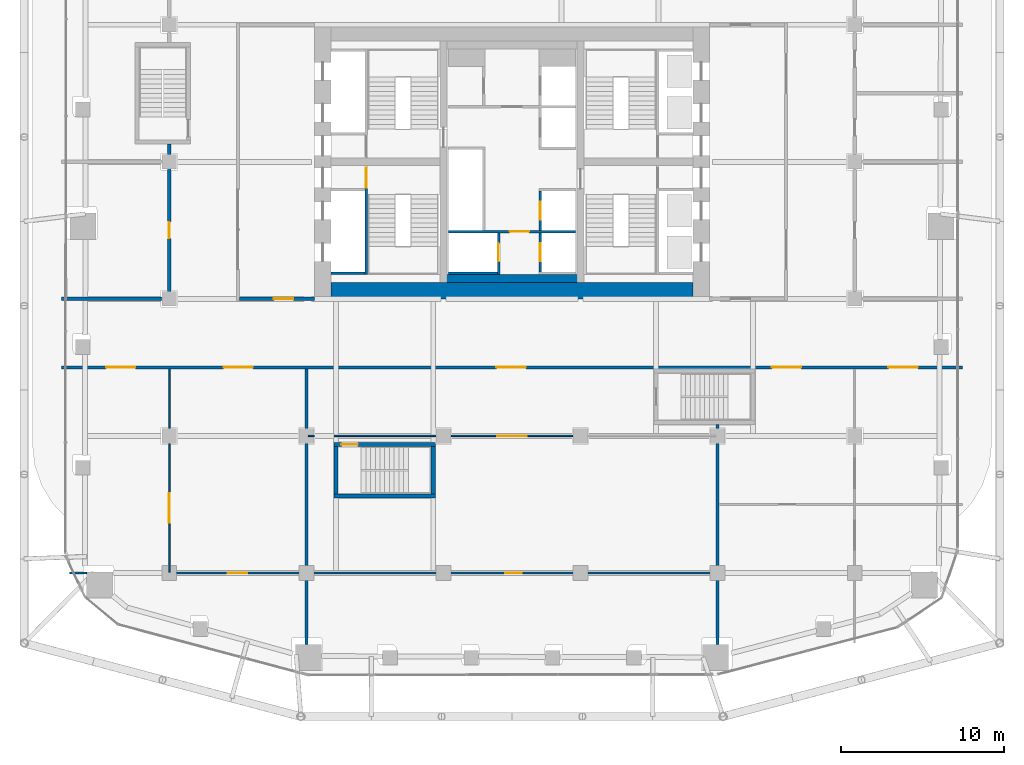
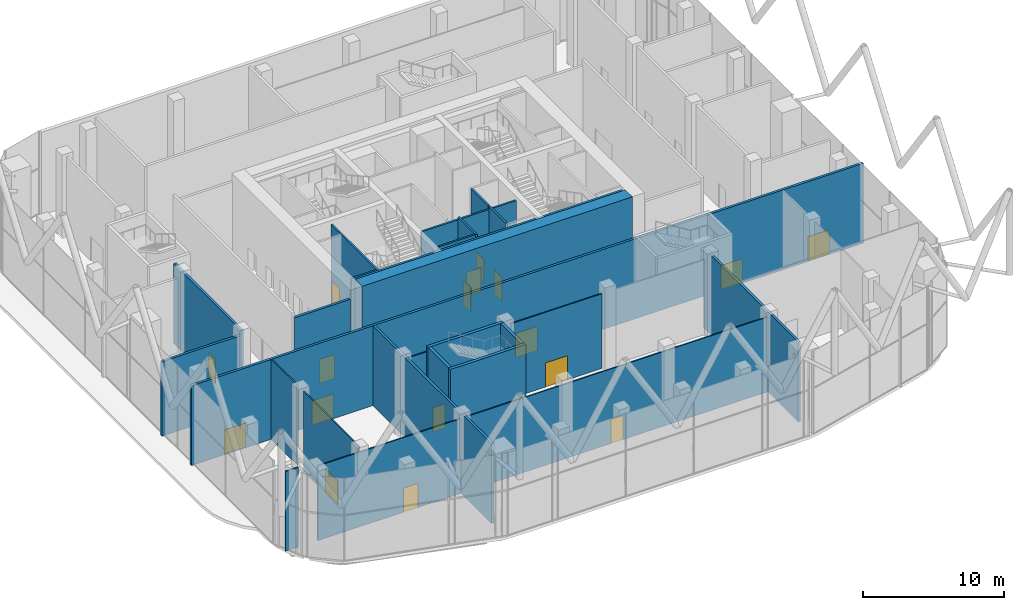
# One storey, part 25 of 34: 25 walls, 17 doors, 17 openings.
"""IFC4 building model written with IfcOpenShell, lengths in metres."""

from ifc_helpers import new_model, si_unit, direction, frame, frame_2d, origin, place, context, subcontext, project, spatial, rectangle, extrude, material, layer, layer_set, type_object, element, fill, save


model = new_model("IFC4")

# Units and contexts
model_context = context("Model", 3, precision=1e-05, world=origin(), true_north=direction((0.0, 1.0)))
body_context = subcontext(model_context, "Body", "Model", "MODEL_VIEW")
ifc_project = project(units=[si_unit("LENGTHUNIT", "METRE"), si_unit("AREAUNIT", "SQUARE_METRE"), si_unit("VOLUMEUNIT", "CUBIC_METRE"), si_unit("PLANEANGLEUNIT", "RADIAN"), si_unit("MASSUNIT", "GRAM", prefix="KILO")], contexts=[model_context])

# Site, building, storey
site_placement = place(None, origin())
site = spatial("IfcSite", under=ifc_project, at=site_placement, CompositionType="ELEMENT")
building_placement = place(site_placement, origin())
building = spatial("IfcBuilding", under=site, at=building_placement, Name="Marenta Gate Hotel Tower", CompositionType="ELEMENT")
storey_placement = place(building_placement, frame((0.0, 0.0, 97.699951171875)))
storey = spatial("IfcBuildingStorey", under=building, at=storey_placement, Name="L21", CompositionType="ELEMENT", Elevation=97.699951171875)

# Wall, opening, door
ifc_material_1 = material(Name="Concrete blockwork", Category="masonry")
ifc_layer_1 = layer(ifc_material_1, 0.199951171875)
ifc_layer_set_1 = layer_set([ifc_layer_1], Name="Concrete blockwork")
wall_type_1 = type_object("IfcWallType", Name="Core boundary wall 200 REI 180", PredefinedType="PARTITIONING", material=ifc_layer_set_1)
wall_1_placement = place(storey_placement, frame((-16.699951171875, 0.0, 0.0), z_axis=(0.0, 0.0, 1.0), x_axis=(1.0, 0.0, 0.0)))
wall_1 = element("IfcWall", 1, at=wall_1_placement, inside=storey, type_object=wall_type_1, Name="L21-CP-EW-WS", PredefinedType="PARTITIONING", context=body_context, shape_type="SweptSolid", body=[
    extrude(rectangle(XDim=4.599853515625, YDim=0.199951171875, at=frame_2d((2.2998046875, 0.0))), origin(), (0.0, 0.0, 1.0), 6.489990234375),
])
opening_1_placement = place(wall_1_placement, frame((2.10009765625, 0.0, 0.0)))
opening_1 = element("IfcOpeningElement", 2, at=opening_1_placement, cuts=wall_1, Name="Opening RS-Z2-1", PredefinedType="OPENING", context=body_context, shape_type="SweptSolid", body=[
    extrude(rectangle(XDim=1.199951171875, YDim=2.10009765625, at=frame_2d((0.60009765625, 1.050048828125))), frame((0.0, 0.10009765625, 0.0), z_axis=(0.0, -1.0, 0.0), x_axis=(1.0, 0.0, 0.0)), (0.0, 0.0, 1.0), 0.199951171875),
])
ifc_material_2 = material(Name="Steel", Category="steel")
door_type_1 = type_object("IfcDoorType", Name="Core lobby door 1200x2100 EI 60", OperationType="SINGLE_SWING_LEFT", PredefinedType="DOOR", material=ifc_material_2)
door_1_placement = place(opening_1_placement, origin())
door_1 = element("IfcDoor", 3, at=door_1_placement, inside=storey, type_object=door_type_1, Name="RS-Z2-1", OperationType="SINGLE_SWING_LEFT", OverallHeight=2.10009765625, OverallWidth=1.199951171875, PredefinedType="DOOR", context=body_context, shape_type="SweptSolid", body=[
    extrude(rectangle(XDim=1.199951171875, YDim=2.10009765625, at=frame_2d((0.60009765625, 1.050048828125))), frame((0.0, 0.02490234375, 0.0), z_axis=(0.0, -1.0, 0.0), x_axis=(1.0, 0.0, 0.0)), (0.0, 0.0, 1.0), 0.050048828125),
])
fill(opening_1, door_1)

# Wall
ifc_material_3 = material(Name="Concrete C40", Category="concrete")
ifc_layer_2 = layer(ifc_material_3, 0.5)
ifc_layer_set_2 = layer_set([ifc_layer_2], Name="Concrete C40")
wall_type_2 = type_object("IfcWallType", Name="Core lining wall 500 REI 180", PredefinedType="PARTITIONING", material=ifc_layer_set_2)
wall_2_placement = place(storey_placement, frame((-11.10009765625, 1.25, 0.0), z_axis=(0.0, 0.0, 1.0), x_axis=(1.0, 0.0, 0.0)))
element("IfcWall", 4, at=wall_2_placement, inside=storey, type_object=wall_type_2, Name="L21-CP-LN-S", PredefinedType="PARTITIONING", context=body_context, shape_type="SweptSolid", body=[
    extrude(rectangle(XDim=22.2001953125, YDim=0.5, at=frame_2d((11.10009765625, 0.0))), origin(), (0.0, 0.0, 1.0), 6.93994140625),
])

# Wall, opening, door
ifc_material_4 = material(Name="Concrete blockwork", Category="masonry")
ifc_layer_3 = layer(ifc_material_4, 0.14990234375)
ifc_layer_set_3 = layer_set([ifc_layer_3], Name="Concrete blockwork")
wall_type_3 = type_object("IfcWallType", Name="Core lobby partition 150 REI 180", PredefinedType="PARTITIONING", material=ifc_layer_set_3)
wall_3_placement = place(storey_placement, frame((-3.89990234375, 4.125, 0.0), z_axis=(0.0, 0.0, 1.0), x_axis=(1.0, 0.0, 0.0)))
wall_3 = element("IfcWall", 5, at=wall_3_placement, inside=storey, type_object=wall_type_3, Name="L21-CP-CW-S", PredefinedType="PARTITIONING", context=body_context, shape_type="SweptSolid", body=[
    extrude(rectangle(XDim=7.7998046875, YDim=0.14990234375, at=frame_2d((3.89990234375, 0.0))), origin(), (0.0, 0.0, 1.0), 6.93994140625),
])
opening_2_placement = place(wall_3_placement, frame((3.75, 0.0, 0.0)))
opening_2 = element("IfcOpeningElement", 6, at=opening_2_placement, cuts=wall_3, Name="Opening FD-FFS", PredefinedType="OPENING", context=body_context, shape_type="SweptSolid", body=[
    extrude(rectangle(XDim=1.199951171875, YDim=2.10009765625, at=frame_2d((0.60009765625, 1.050048828125))), frame((0.0, 0.074951171875, 0.0), z_axis=(0.0, -1.0, 0.0), x_axis=(1.0, 0.0, 0.0)), (0.0, 0.0, 1.0), 0.14990234375),
])
ifc_material_5 = material(Name="Steel", Category="steel")
door_type_2 = type_object("IfcDoorType", Name="Core lobby door 1200x2100 FD60", OperationType="SINGLE_SWING_LEFT", PredefinedType="DOOR", material=ifc_material_5)
door_2_placement = place(opening_2_placement, origin())
door_2 = element("IfcDoor", 7, at=door_2_placement, inside=storey, type_object=door_type_2, Name="FD-FFS", OperationType="SINGLE_SWING_LEFT", OverallHeight=2.10009765625, OverallWidth=1.199951171875, PredefinedType="DOOR", context=body_context, shape_type="SweptSolid", body=[
    extrude(rectangle(XDim=1.199951171875, YDim=2.10009765625, at=frame_2d((0.60009765625, 1.050048828125))), frame((0.0, 0.02490234375, 0.0), z_axis=(0.0, -1.0, 0.0), x_axis=(1.0, 0.0, 0.0)), (0.0, 0.0, 1.0), 0.050048828125),
])
fill(opening_2, door_2)

# Wall
ifc_material_6 = material(Name="Concrete C40", Category="concrete")
ifc_layer_4 = layer(ifc_material_6, 0.14990234375)
ifc_layer_set_4 = layer_set([ifc_layer_4], Name="Concrete C40")
wall_type_4 = type_object("IfcWallType", Name="Core shaft wall 150 REI 180", PredefinedType="SHEAR", material=ifc_layer_set_4)
wall_4_placement = place(storey_placement, frame((-11.10009765625, 1.574951171875, 0.0), z_axis=(0.0, 0.0, 1.0), x_axis=(1.0, 0.0, 0.0)))
element("IfcWall", 8, at=wall_4_placement, inside=storey, type_object=wall_type_4, Name="L21-SHF-SW-WS-5", PredefinedType="SHEAR", context=body_context, shape_type="SweptSolid", body=[
    extrude(rectangle(XDim=2.10009765625, YDim=0.14990234375, at=frame_2d((1.050048828125, 0.0))), origin(), (0.0, 0.0, 1.0), 6.93994140625),
])

# Wall, opening, door
wall_5_placement = place(storey_placement, frame((-0.824951171875, 1.5, 0.0), z_axis=(0.0, 0.0, 1.0), x_axis=(0.0, 1.0, 0.0)))
wall_5 = element("IfcWall", 9, at=wall_5_placement, inside=storey, type_object=wall_type_4, Name="L21-SHF-CW-W-ff", PredefinedType="SHEAR", context=body_context, shape_type="SweptSolid", body=[
    extrude(rectangle(XDim=2.550048828125, YDim=0.14990234375, at=frame_2d((1.27490234375, 0.0))), origin(), (0.0, 0.0, 1.0), 7.199951171875),
])
opening_3_placement = place(wall_5_placement, frame((0.800048828125, 0.0, 0.0)))
opening_3 = element("IfcOpeningElement", 10, at=opening_3_placement, cuts=wall_5, Name="Opening LD-FF1", PredefinedType="OPENING", context=body_context, shape_type="SweptSolid", body=[
    extrude(rectangle(XDim=1.10009765625, YDim=2.10009765625, at=frame_2d((0.550048828125, 1.050048828125))), frame((0.0, 0.074951171875, 0.0), z_axis=(0.0, -1.0, 0.0), x_axis=(1.0, 0.0, 0.0)), (0.0, 0.0, 1.0), 0.14990234375),
])
ifc_material_7 = material(Name="Steel", Category="steel")
door_type_3 = type_object("IfcDoorType", Name="Core lift landing door 1100x2100 E 60", OperationType="SLIDING_TO_LEFT", PredefinedType="DOOR", material=ifc_material_7)
door_3_placement = place(opening_3_placement, origin())
door_3 = element("IfcDoor", 11, at=door_3_placement, inside=storey, type_object=door_type_3, Name="LD-FF1", OperationType="SLIDING_TO_LEFT", OverallHeight=2.10009765625, OverallWidth=1.10009765625, PredefinedType="DOOR", context=body_context, shape_type="SweptSolid", body=[
    extrude(rectangle(XDim=1.10009765625, YDim=2.10009765625, at=frame_2d((0.550048828125, 1.050048828125))), frame((0.0, 0.02490234375, 0.0), z_axis=(0.0, -1.0, 0.0), x_axis=(1.0, 0.0, 0.0)), (0.0, 0.0, 1.0), 0.050048828125),
])
fill(opening_3, door_3)

# Wall
wall_6_placement = place(storey_placement, frame((-3.89990234375, 1.574951171875, 0.0), z_axis=(0.0, 0.0, 1.0), x_axis=(1.0, 0.0, 0.0)))
element("IfcWall", 12, at=wall_6_placement, inside=storey, type_object=wall_type_4, Name="L21-SHF-CW-W-ffs", PredefinedType="SHEAR", context=body_context, shape_type="SweptSolid", body=[
    extrude(rectangle(XDim=3.0, YDim=0.14990234375, at=frame_2d((1.5, 0.0))), origin(), (0.0, 0.0, 1.0), 7.199951171875),
])

# Wall, opening, door
wall_7_placement = place(storey_placement, frame((1.72509765625, 1.64990234375, 0.0), z_axis=(0.0, 0.0, 1.0), x_axis=(0.0, 1.0, 0.0)))
wall_7 = element("IfcWall", 13, at=wall_7_placement, inside=storey, type_object=wall_type_4, Name="L21-SHF-CE-S-ls", PredefinedType="SHEAR", context=body_context, shape_type="SweptSolid", body=[
    extrude(rectangle(XDim=2.400146484375, YDim=0.14990234375, at=frame_2d((1.2001953125, 0.0))), origin(), (0.0, 0.0, 1.0), 7.199951171875),
])
opening_4_placement = place(wall_7_placement, frame((0.64990234375, 0.0, 0.0)))
opening_4 = element("IfcOpeningElement", 14, at=opening_4_placement, cuts=wall_7, Name="Opening LD-SV1", PredefinedType="OPENING", context=body_context, shape_type="SweptSolid", body=[
    extrude(rectangle(XDim=1.10009765625, YDim=2.10009765625, at=frame_2d((0.550048828125, 1.050048828125))), frame((0.0, 0.074951171875, 0.0), z_axis=(0.0, -1.0, 0.0), x_axis=(1.0, 0.0, 0.0)), (0.0, 0.0, 1.0), 0.14990234375),
])
door_4_placement = place(opening_4_placement, origin())
door_4 = element("IfcDoor", 15, at=door_4_placement, inside=storey, type_object=door_type_3, Name="LD-SV1", OperationType="SLIDING_TO_LEFT", OverallHeight=2.10009765625, OverallWidth=1.10009765625, PredefinedType="DOOR", context=body_context, shape_type="SweptSolid", body=[
    extrude(rectangle(XDim=1.10009765625, YDim=2.10009765625, at=frame_2d((0.550048828125, 1.050048828125))), frame((0.0, 0.02490234375, 0.0), z_axis=(0.0, -1.0, 0.0), x_axis=(1.0, 0.0, 0.0)), (0.0, 0.0, 1.0), 0.050048828125),
])
fill(opening_4, door_4)

wall_8_placement = place(storey_placement, frame((1.72509765625, 4.199951171875, 0.0), z_axis=(0.0, 0.0, 1.0), x_axis=(0.0, 1.0, 0.0)))
wall_8 = element("IfcWall", 16, at=wall_8_placement, inside=storey, type_object=wall_type_4, Name="L21-SHF-CE-front-1", PredefinedType="SHEAR", context=body_context, shape_type="SweptSolid", body=[
    extrude(rectangle(XDim=2.400146484375, YDim=0.14990234375, at=frame_2d((1.2001953125, 0.0))), origin(), (0.0, 0.0, 1.0), 7.199951171875),
])
opening_5_placement = place(wall_8_placement, frame((0.64990234375, 0.0, 0.0)))
opening_5 = element("IfcOpeningElement", 17, at=opening_5_placement, cuts=wall_8, Name="Opening LD-SH1", PredefinedType="OPENING", context=body_context, shape_type="SweptSolid", body=[
    extrude(rectangle(XDim=1.10009765625, YDim=2.10009765625, at=frame_2d((0.550048828125, 1.050048828125))), frame((0.0, 0.074951171875, 0.0), z_axis=(0.0, -1.0, 0.0), x_axis=(1.0, 0.0, 0.0)), (0.0, 0.0, 1.0), 0.14990234375),
])
door_5_placement = place(opening_5_placement, origin())
door_5 = element("IfcDoor", 18, at=door_5_placement, inside=storey, type_object=door_type_3, Name="LD-SH1", OperationType="SLIDING_TO_LEFT", OverallHeight=2.10009765625, OverallWidth=1.10009765625, PredefinedType="DOOR", context=body_context, shape_type="SweptSolid", body=[
    extrude(rectangle(XDim=1.10009765625, YDim=2.10009765625, at=frame_2d((0.550048828125, 1.050048828125))), frame((0.0, 0.02490234375, 0.0), z_axis=(0.0, -1.0, 0.0), x_axis=(1.0, 0.0, 0.0)), (0.0, 0.0, 1.0), 0.050048828125),
])
fill(opening_5, door_5)

ifc_material_8 = material(Name="Concrete C40", Category="concrete")
ifc_layer_5 = layer(ifc_material_8, 0.14990234375)
ifc_layer_set_5 = layer_set([ifc_layer_5], Name="Concrete C40")
wall_type_5 = type_object("IfcWallType", Name="Core stair enclosure wall 150 REI 180", PredefinedType="SHEAR", material=ifc_layer_set_5)
wall_9_placement = place(storey_placement, frame((-8.925048828125, 1.5, 0.0), z_axis=(0.0, 0.0, 1.0), x_axis=(0.0, 1.0, 0.0)))
wall_9 = element("IfcWall", 19, at=wall_9_placement, inside=storey, type_object=wall_type_5, Name="L21-SHF-SW-WS-3", PredefinedType="SHEAR", context=body_context, shape_type="SweptSolid", body=[
    extrude(rectangle(XDim=6.60009765625, YDim=0.14990234375, at=frame_2d((3.300048828125, 0.0))), origin(), (0.0, 0.0, 1.0), 6.93994140625),
])
opening_6_placement = place(wall_9_placement, frame((5.324951171875, 0.0, 0.0)))
opening_6 = element("IfcOpeningElement", 20, at=opening_6_placement, cuts=wall_9, Name="Opening SD-WS", PredefinedType="OPENING", context=body_context, shape_type="SweptSolid", body=[
    extrude(rectangle(XDim=1.199951171875, YDim=2.10009765625, at=frame_2d((0.60009765625, 1.050048828125))), frame((0.0, 0.074951171875, 0.0), z_axis=(0.0, -1.0, 0.0), x_axis=(1.0, 0.0, 0.0)), (0.0, 0.0, 1.0), 0.14990234375),
])
ifc_material_9 = material(Name="Steel", Category="steel")
door_type_4 = type_object("IfcDoorType", Name="Core stair door 1200x2100 FD60", OperationType="SINGLE_SWING_LEFT", PredefinedType="DOOR", material=ifc_material_9)
door_6_placement = place(opening_6_placement, origin())
door_6 = element("IfcDoor", 21, at=door_6_placement, inside=storey, type_object=door_type_4, Name="SD-WS", OperationType="SINGLE_SWING_LEFT", OverallHeight=2.10009765625, OverallWidth=1.199951171875, PredefinedType="DOOR", context=body_context, shape_type="SweptSolid", body=[
    extrude(rectangle(XDim=1.199951171875, YDim=2.10009765625, at=frame_2d((0.60009765625, 1.050048828125))), frame((0.0, 0.02490234375, 0.0), z_axis=(0.0, -1.0, 0.0), x_axis=(1.0, 0.0, 0.0)), (0.0, 0.0, 1.0), 0.050048828125),
])
fill(opening_6, door_6)

# Walls
ifc_material_10 = material(Name="Concrete C70", Category="concrete")
ifc_layer_6 = layer(ifc_material_10, 1.0)
ifc_layer_set_6 = layer_set([ifc_layer_6], Name="Concrete C70")
wall_type_6 = type_object("IfcWallType", Name="Core wall 1000 C70", PredefinedType="SHEAR", material=ifc_layer_set_6)
wall_10_placement = place(storey_placement, frame((-11.10009765625, 0.5, 0.0), z_axis=(0.0, 0.0, 1.0), x_axis=(1.0, 0.0, 0.0)))
element("IfcWall", 22, at=wall_10_placement, inside=storey, type_object=wall_type_6, Name="L21-CORE-S", PredefinedType="SHEAR", context=body_context, shape_type="SweptSolid", body=[
    extrude(rectangle(XDim=22.2001953125, YDim=1.0, at=frame_2d((11.10009765625, 0.0))), origin(), (0.0, 0.0, 1.0), 7.199951171875),
])
ifc_material_11 = material(Name="Concrete C40", Category="concrete")
ifc_layer_7 = layer(ifc_material_11, 0.25)
ifc_layer_set_7 = layer_set([ifc_layer_7], Name="Concrete C40")
wall_type_7 = type_object("IfcWallType", Name="Remote stair enclosure wall 250 REI 180", PredefinedType="SHEAR", material=ifc_layer_set_7)
wall_11_placement = place(storey_placement, frame((-10.89990234375, -12.074951171875, -0.260009765625), z_axis=(0.0, 0.0, 1.0), x_axis=(1.0, 0.0, 0.0)))
element("IfcWall", 23, at=wall_11_placement, inside=storey, type_object=wall_type_7, Name="L21-RS-Z2-1-W1", PredefinedType="SHEAR", context=body_context, shape_type="SweptSolid", body=[
    extrude(rectangle(XDim=6.199951171875, YDim=0.25, at=frame_2d((3.10009765625, 0.0))), origin(), (0.0, 0.0, 1.0), 7.56005859375),
])

# Wall, opening, door
wall_12_placement = place(storey_placement, frame((-10.89990234375, -8.925048828125, -0.260009765625), z_axis=(0.0, 0.0, 1.0), x_axis=(1.0, 0.0, 0.0)))
wall_12 = element("IfcWall", 24, at=wall_12_placement, inside=storey, type_object=wall_type_7, Name="L21-RS-Z2-1-W2", PredefinedType="SHEAR", context=body_context, shape_type="SweptSolid", body=[
    extrude(rectangle(XDim=6.199951171875, YDim=0.25, at=frame_2d((3.10009765625, 0.0))), origin(), (0.0, 0.0, 1.0), 7.56005859375),
])
opening_7_placement = place(wall_12_placement, frame((0.449951171875, 0.0, 0.0)))
opening_7 = element("IfcOpeningElement", 25, at=opening_7_placement, cuts=wall_12, Name="Opening VD", PredefinedType="OPENING", context=body_context, shape_type="SweptSolid", body=[
    extrude(rectangle(XDim=1.0, YDim=2.10009765625, at=frame_2d((0.5, 1.050048828125))), frame((0.0, 0.125, 0.0), z_axis=(0.0, -1.0, 0.0), x_axis=(1.0, 0.0, 0.0)), (0.0, 0.0, 1.0), 0.25),
])
ifc_material_12 = material(Name="Steel", Category="steel")
door_type_5 = type_object("IfcDoorType", Name="Stair vestibule door 1000x2100 FD60", OperationType="SINGLE_SWING_LEFT", PredefinedType="DOOR", material=ifc_material_12)
door_7_placement = place(opening_7_placement, origin())
door_7 = element("IfcDoor", 26, at=door_7_placement, inside=storey, type_object=door_type_5, Name="VD", OperationType="SINGLE_SWING_LEFT", OverallHeight=2.10009765625, OverallWidth=1.0, PredefinedType="DOOR", context=body_context, shape_type="SweptSolid", body=[
    extrude(rectangle(XDim=1.0, YDim=2.10009765625, at=frame_2d((0.5, 1.050048828125))), frame((0.0, 0.02490234375, 0.0), z_axis=(0.0, -1.0, 0.0), x_axis=(1.0, 0.0, 0.0)), (0.0, 0.0, 1.0), 0.050048828125),
])
fill(opening_7, door_7)

# Walls
for number, where, z_axis, x_axis, name in (
    (27, (-10.77490234375, -11.949951171875, -0.260009765625), (0.0, 0.0, 1.0), (0.0, 1.0, 0.0), "L21-RS-Z2-1-W3"),
    (28, (-4.824951171875, -11.949951171875, -0.260009765625), (0.0, 0.0, 1.0), (0.0, 1.0, 0.0), "L21-RS-Z2-1-W4"),
):
    element("IfcWall", number, at=place(storey_placement, frame(where, z_axis=z_axis, x_axis=x_axis)), inside=storey, type_object=wall_type_7, Name=name, PredefinedType="SHEAR", context=body_context, shape_type="SweptSolid", body=[
        extrude(rectangle(XDim=2.89990234375, YDim=0.25, at=frame_2d((1.449951171875, 0.0))), origin(), (0.0, 0.0, 1.0), 7.56005859375),
    ])

# Wall, openings, doors
ifc_material_13 = material(Name="Gypsum board on steel stud", Category="steel")
ifc_layer_8 = layer(ifc_material_13, 0.199951171875)
ifc_layer_set_8 = layer_set([ifc_layer_8], Name="Gypsum board on steel stud")
wall_type_8 = type_object("IfcWallType", Name="Room corridor wall 200 EI 60", PredefinedType="PARTITIONING", material=ifc_layer_set_8)
wall_13_placement = place(storey_placement, frame((-27.60009765625, -4.199951171875, 0.0), z_axis=(0.0, 0.0, 1.0), x_axis=(1.0, 0.0, 0.0)))
wall_13 = element("IfcWall", 29, at=wall_13_placement, inside=storey, type_object=wall_type_8, Name="L21-PTN-W012", PredefinedType="PARTITIONING", context=body_context, shape_type="SweptSolid", body=[
    extrude(rectangle(XDim=55.2001953125, YDim=0.199951171875, at=frame_2d((27.60009765625, 0.0))), origin(), (0.0, 0.0, 1.0), 6.93994140625),
])
opening_8_placement = place(wall_13_placement, frame((9.925048828125, 0.0, 0.0)))
opening_8 = element("IfcOpeningElement", 30, at=opening_8_placement, cuts=wall_13, Name="Opening S08-10", PredefinedType="OPENING", context=body_context, shape_type="SweptSolid", body=[
    extrude(rectangle(XDim=1.800048828125, YDim=2.10009765625, at=frame_2d((0.89990234375, 1.050048828125))), frame((0.0, 0.10009765625, 0.0), z_axis=(0.0, -1.0, 0.0), x_axis=(1.0, 0.0, 0.0)), (0.0, 0.0, 1.0), 0.199951171875),
])
opening_9_placement = place(wall_13_placement, frame((2.72509765625, 0.0, 0.0)))
opening_9 = element("IfcOpeningElement", 31, at=opening_9_placement, cuts=wall_13, Name="Opening S08-11", PredefinedType="OPENING", context=body_context, shape_type="SweptSolid", body=[
    extrude(rectangle(XDim=1.800048828125, YDim=2.10009765625, at=frame_2d((0.89990234375, 1.050048828125))), frame((0.0, 0.10009765625, 0.0), z_axis=(0.0, -1.0, 0.0), x_axis=(1.0, 0.0, 0.0)), (0.0, 0.0, 1.0), 0.199951171875),
])
opening_10_placement = place(wall_13_placement, frame((26.64990234375, 0.0, 0.0)))
opening_10 = element("IfcOpeningElement", 32, at=opening_10_placement, cuts=wall_13, Name="Opening S08-13", PredefinedType="OPENING", context=body_context, shape_type="SweptSolid", body=[
    extrude(rectangle(XDim=1.800048828125, YDim=2.10009765625, at=frame_2d((0.89990234375, 1.050048828125))), frame((0.0, 0.10009765625, 0.0), z_axis=(0.0, -1.0, 0.0), x_axis=(1.0, 0.0, 0.0)), (0.0, 0.0, 1.0), 0.199951171875),
])
opening_11_placement = place(wall_13_placement, frame((43.52490234375, 0.0, 0.0)))
opening_11 = element("IfcOpeningElement", 33, at=opening_11_placement, cuts=wall_13, Name="Opening S08-15", PredefinedType="OPENING", context=body_context, shape_type="SweptSolid", body=[
    extrude(rectangle(XDim=1.800048828125, YDim=2.10009765625, at=frame_2d((0.89990234375, 1.050048828125))), frame((0.0, 0.10009765625, 0.0), z_axis=(0.0, -1.0, 0.0), x_axis=(1.0, 0.0, 0.0)), (0.0, 0.0, 1.0), 0.199951171875),
])
opening_12_placement = place(wall_13_placement, frame((50.675048828125, 0.0, 0.0)))
opening_12 = element("IfcOpeningElement", 34, at=opening_12_placement, cuts=wall_13, Name="Opening S08-16", PredefinedType="OPENING", context=body_context, shape_type="SweptSolid", body=[
    extrude(rectangle(XDim=1.800048828125, YDim=2.10009765625, at=frame_2d((0.89990234375, 1.050048828125))), frame((0.0, 0.10009765625, 0.0), z_axis=(0.0, -1.0, 0.0), x_axis=(1.0, 0.0, 0.0)), (0.0, 0.0, 1.0), 0.199951171875),
])
ifc_material_14 = material(Name="Timber door leaf", Category="wood")
door_type_6 = type_object("IfcDoorType", Name="Room amenity door 1800x2100 EI 30", OperationType="DOUBLE_DOOR_SINGLE_SWING", PredefinedType="DOOR", material=ifc_material_14)
door_8_placement = place(opening_8_placement, origin())
door_8 = element("IfcDoor", 35, at=door_8_placement, inside=storey, type_object=door_type_6, Name="L21-PD-D010", OperationType="DOUBLE_DOOR_SINGLE_SWING", OverallHeight=2.10009765625, OverallWidth=1.800048828125, PredefinedType="DOOR", context=body_context, shape_type="SweptSolid", body=[
    extrude(rectangle(XDim=1.800048828125, YDim=2.10009765625, at=frame_2d((0.89990234375, 1.050048828125))), frame((0.0, 0.02490234375, 0.0), z_axis=(0.0, -1.0, 0.0), x_axis=(1.0, 0.0, 0.0)), (0.0, 0.0, 1.0), 0.050048828125),
])
fill(opening_8, door_8)
door_9_placement = place(opening_9_placement, origin())
door_9 = element("IfcDoor", 36, at=door_9_placement, inside=storey, type_object=door_type_6, Name="L21-PD-D011", OperationType="DOUBLE_DOOR_SINGLE_SWING", OverallHeight=2.10009765625, OverallWidth=1.800048828125, PredefinedType="DOOR", context=body_context, shape_type="SweptSolid", body=[
    extrude(rectangle(XDim=1.800048828125, YDim=2.10009765625, at=frame_2d((0.89990234375, 1.050048828125))), frame((0.0, 0.02490234375, 0.0), z_axis=(0.0, -1.0, 0.0), x_axis=(1.0, 0.0, 0.0)), (0.0, 0.0, 1.0), 0.050048828125),
])
fill(opening_9, door_9)
door_10_placement = place(opening_10_placement, origin())
door_10 = element("IfcDoor", 37, at=door_10_placement, inside=storey, type_object=door_type_6, Name="L21-PD-D013", OperationType="DOUBLE_DOOR_SINGLE_SWING", OverallHeight=2.10009765625, OverallWidth=1.800048828125, PredefinedType="DOOR", context=body_context, shape_type="SweptSolid", body=[
    extrude(rectangle(XDim=1.800048828125, YDim=2.10009765625, at=frame_2d((0.89990234375, 1.050048828125))), frame((0.0, 0.02490234375, 0.0), z_axis=(0.0, -1.0, 0.0), x_axis=(1.0, 0.0, 0.0)), (0.0, 0.0, 1.0), 0.050048828125),
])
fill(opening_10, door_10)
door_11_placement = place(opening_11_placement, origin())
door_11 = element("IfcDoor", 38, at=door_11_placement, inside=storey, type_object=door_type_6, Name="L21-PD-D015", OperationType="DOUBLE_DOOR_SINGLE_SWING", OverallHeight=2.10009765625, OverallWidth=1.800048828125, PredefinedType="DOOR", context=body_context, shape_type="SweptSolid", body=[
    extrude(rectangle(XDim=1.800048828125, YDim=2.10009765625, at=frame_2d((0.89990234375, 1.050048828125))), frame((0.0, 0.02490234375, 0.0), z_axis=(0.0, -1.0, 0.0), x_axis=(1.0, 0.0, 0.0)), (0.0, 0.0, 1.0), 0.050048828125),
])
fill(opening_11, door_11)
door_12_placement = place(opening_12_placement, origin())
door_12 = element("IfcDoor", 39, at=door_12_placement, inside=storey, type_object=door_type_6, Name="L21-PD-D016", OperationType="DOUBLE_DOOR_SINGLE_SWING", OverallHeight=2.10009765625, OverallWidth=1.800048828125, PredefinedType="DOOR", context=body_context, shape_type="SweptSolid", body=[
    extrude(rectangle(XDim=1.800048828125, YDim=2.10009765625, at=frame_2d((0.89990234375, 1.050048828125))), frame((0.0, 0.02490234375, 0.0), z_axis=(0.0, -1.0, 0.0), x_axis=(1.0, 0.0, 0.0)), (0.0, 0.0, 1.0), 0.050048828125),
])
fill(opening_12, door_12)

# Wall
wall_14_placement = place(storey_placement, frame((-27.60009765625, 0.0, 0.0), z_axis=(0.0, 0.0, 1.0), x_axis=(1.0, 0.0, 0.0)))
element("IfcWall", 40, at=wall_14_placement, inside=storey, type_object=wall_type_8, Name="L21-PTN-W013", PredefinedType="PARTITIONING", context=body_context, shape_type="SweptSolid", body=[
    extrude(rectangle(XDim=6.5, YDim=0.199951171875, at=frame_2d((3.25, 0.0))), origin(), (0.0, 0.0, 1.0), 6.489990234375),
])

# Wall, opening, door
wall_15_placement = place(storey_placement, frame((-21.0, -0.10009765625, 0.0), z_axis=(0.0, 0.0, 1.0), x_axis=(0.0, 1.0, 0.0)))
wall_15 = element("IfcWall", 41, at=wall_15_placement, inside=storey, type_object=wall_type_8, Name="L21-PTN-W024", PredefinedType="PARTITIONING", context=body_context, shape_type="SweptSolid", body=[
    extrude(rectangle(XDim=9.60009765625, YDim=0.199951171875, at=frame_2d((4.800048828125, 0.0))), origin(), (0.0, 0.0, 1.0), 6.93994140625),
])
opening_13_placement = place(wall_15_placement, frame((3.800048828125, 0.0, 0.0)))
opening_13 = element("IfcOpeningElement", 42, at=opening_13_placement, cuts=wall_15, Name="Opening S08-01", PredefinedType="OPENING", context=body_context, shape_type="SweptSolid", body=[
    extrude(rectangle(XDim=1.0, YDim=2.10009765625, at=frame_2d((0.5, 1.050048828125))), frame((0.0, 0.10009765625, 0.0), z_axis=(0.0, -1.0, 0.0), x_axis=(1.0, 0.0, 0.0)), (0.0, 0.0, 1.0), 0.199951171875),
])
ifc_material_15 = material(Name="Timber door leaf", Category="wood")
door_type_7 = type_object("IfcDoorType", Name="Room amenity door 1000x2100 EI 30", OperationType="NOTDEFINED", PredefinedType="DOOR", material=ifc_material_15)
door_13_placement = place(opening_13_placement, origin())
door_13 = element("IfcDoor", 43, at=door_13_placement, inside=storey, type_object=door_type_7, Name="L21-PD-D001", OperationType="SINGLE_SWING_LEFT", OverallHeight=2.10009765625, OverallWidth=1.0, PredefinedType="DOOR", context=body_context, shape_type="SweptSolid", body=[
    extrude(rectangle(XDim=1.0, YDim=2.10009765625, at=frame_2d((0.5, 1.050048828125))), frame((0.0, 0.02490234375, 0.0), z_axis=(0.0, -1.0, 0.0), x_axis=(1.0, 0.0, 0.0)), (0.0, 0.0, 1.0), 0.050048828125),
])
fill(opening_13, door_13)

# Wall
ifc_material_16 = material(Name="Gypsum board on steel stud", Category="steel")
ifc_layer_9 = layer(ifc_material_16, 0.10009765625)
ifc_layer_set_9 = layer_set([ifc_layer_9], Name="Gypsum board on steel stud")
wall_type_9 = type_object("IfcWallType", Name="Room partition 100", PredefinedType="PARTITIONING", material=ifc_layer_set_9)
wall_16_placement = place(storey_placement, frame((-27.112060546875, -16.800048828125, 0.0), z_axis=(0.0, 0.0, 1.0), x_axis=(1.0, 0.0, 0.0)))
element("IfcWall", 44, at=wall_16_placement, inside=storey, type_object=wall_type_9, Name="L21-PTN-W006", PredefinedType="PARTITIONING", context=body_context, shape_type="SweptSolid", body=[
    extrude(rectangle(XDim=1.049072265625, YDim=0.10009765625, at=frame_2d((0.5244140625, 0.0))), origin(), (0.0, 0.0, 1.0), 6.93994140625),
])

# Wall, openings, doors
wall_17_placement = place(storey_placement, frame((-24.462890625, -16.800048828125, 0.0), z_axis=(0.0, 0.0, 1.0), x_axis=(1.0, 0.0, 0.0)))
wall_17 = element("IfcWall", 45, at=wall_17_placement, inside=storey, type_object=wall_type_9, Name="L21-PTN-W029", PredefinedType="PARTITIONING", context=body_context, shape_type="SweptSolid", body=[
    extrude(rectangle(XDim=37.162841796875, YDim=0.10009765625, at=frame_2d((18.58154296875, 0.0))), origin(), (0.0, 0.0, 1.0), 6.489990234375),
])
opening_14_placement = place(wall_17_placement, frame((7.0380859375, 0.0, 0.0)))
opening_14 = element("IfcOpeningElement", 46, at=opening_14_placement, cuts=wall_17, Name="Opening S08-12", PredefinedType="OPENING", context=body_context, shape_type="SweptSolid", body=[
    extrude(rectangle(XDim=1.199951171875, YDim=2.10009765625, at=frame_2d((0.60009765625, 1.050048828125))), frame((0.0, 0.050048828125, 0.0), z_axis=(0.0, -1.0, 0.0), x_axis=(1.0, 0.0, 0.0)), (0.0, 0.0, 1.0), 0.10009765625),
])
opening_15_placement = place(wall_17_placement, frame((24.06298828125, 0.0, 0.0)))
opening_15 = element("IfcOpeningElement", 47, at=opening_15_placement, cuts=wall_17, Name="Opening S08-14", PredefinedType="OPENING", context=body_context, shape_type="SweptSolid", body=[
    extrude(rectangle(XDim=1.0, YDim=2.10009765625, at=frame_2d((0.5, 1.050048828125))), frame((0.0, 0.050048828125, 0.0), z_axis=(0.0, -1.0, 0.0), x_axis=(1.0, 0.0, 0.0)), (0.0, 0.0, 1.0), 0.10009765625),
])
ifc_material_17 = material(Name="Hollow steel door set", Category="steel")
door_type_8 = type_object("IfcDoorType", Name="Kitchen room door 1200x2100", OperationType="NOTDEFINED", PredefinedType="DOOR", material=ifc_material_17)
door_14_placement = place(opening_14_placement, origin())
door_14 = element("IfcDoor", 48, at=door_14_placement, inside=storey, type_object=door_type_8, Name="L21-PD-D012", OperationType="SINGLE_SWING_RIGHT", OverallHeight=2.10009765625, OverallWidth=1.199951171875, PredefinedType="DOOR", context=body_context, shape_type="SweptSolid", body=[
    extrude(rectangle(XDim=1.199951171875, YDim=2.10009765625, at=frame_2d((0.60009765625, 1.050048828125))), frame((0.0, 0.02490234375, 0.0), z_axis=(0.0, -1.0, 0.0), x_axis=(1.0, 0.0, 0.0)), (0.0, 0.0, 1.0), 0.050048828125),
])
fill(opening_14, door_14)
ifc_material_18 = material(Name="Hollow steel door set", Category="steel")
door_type_9 = type_object("IfcDoorType", Name="Room service door 1000x2100", OperationType="NOTDEFINED", PredefinedType="DOOR", material=ifc_material_18)
door_15_placement = place(opening_15_placement, origin())
door_15 = element("IfcDoor", 49, at=door_15_placement, inside=storey, type_object=door_type_9, Name="L21-PD-D014", OperationType="SINGLE_SWING_LEFT", OverallHeight=2.10009765625, OverallWidth=1.0, PredefinedType="DOOR", context=body_context, shape_type="SweptSolid", body=[
    extrude(rectangle(XDim=1.0, YDim=2.10009765625, at=frame_2d((0.5, 1.050048828125))), frame((0.0, 0.02490234375, 0.0), z_axis=(0.0, -1.0, 0.0), x_axis=(1.0, 0.0, 0.0)), (0.0, 0.0, 1.0), 0.050048828125),
])
fill(opening_15, door_15)

# Wall
wall_18_placement = place(storey_placement, frame((-12.5, -8.39990234375, 0.0), z_axis=(0.0, 0.0, 1.0), x_axis=(1.0, 0.0, 0.0)))
element("IfcWall", 50, at=wall_18_placement, inside=storey, type_object=wall_type_9, Name="L21-PTN-W009", PredefinedType="PARTITIONING", context=body_context, shape_type="SweptSolid", body=[
    extrude(rectangle(XDim=7.830078125, YDim=0.10009765625, at=frame_2d((3.9150390625, 0.0))), origin(), (0.0, 0.0, 1.0), 6.489990234375),
])

# Wall, opening, door
wall_19_placement = place(storey_placement, frame((-3.72998046875, -8.39990234375, 0.0), z_axis=(0.0, 0.0, 1.0), x_axis=(1.0, 0.0, 0.0)))
wall_19 = element("IfcWall", 51, at=wall_19_placement, inside=storey, type_object=wall_type_9, Name="L21-PTN-W010", PredefinedType="PARTITIONING", context=body_context, shape_type="SweptSolid", body=[
    extrude(rectangle(XDim=7.4599609375, YDim=0.10009765625, at=frame_2d((3.72998046875, 0.0))), origin(), (0.0, 0.0, 1.0), 6.489990234375),
])
opening_16_placement = place(wall_19_placement, frame((2.830078125, 0.0, 0.0)))
opening_16 = element("IfcOpeningElement", 52, at=opening_16_placement, cuts=wall_19, Name="Opening S08-19", PredefinedType="OPENING", context=body_context, shape_type="SweptSolid", body=[
    extrude(rectangle(XDim=1.800048828125, YDim=2.10009765625, at=frame_2d((0.89990234375, 1.050048828125))), frame((0.0, 0.050048828125, 0.0), z_axis=(0.0, -1.0, 0.0), x_axis=(1.0, 0.0, 0.0)), (0.0, 0.0, 1.0), 0.10009765625),
])
ifc_material_19 = material(Name="Timber door leaf", Category="wood")
door_type_10 = type_object("IfcDoorType", Name="Room amenity door 1800x2100", OperationType="DOUBLE_DOOR_SINGLE_SWING", PredefinedType="DOOR", material=ifc_material_19)
door_16_placement = place(opening_16_placement, origin())
door_16 = element("IfcDoor", 53, at=door_16_placement, inside=storey, type_object=door_type_10, Name="L21-PD-D019", OperationType="DOUBLE_DOOR_SINGLE_SWING", OverallHeight=2.10009765625, OverallWidth=1.800048828125, PredefinedType="DOOR", context=body_context, shape_type="SweptSolid", body=[
    extrude(rectangle(XDim=1.800048828125, YDim=2.10009765625, at=frame_2d((0.89990234375, 1.050048828125))), frame((0.0, 0.02490234375, 0.0), z_axis=(0.0, -1.0, 0.0), x_axis=(1.0, 0.0, 0.0)), (0.0, 0.0, 1.0), 0.050048828125),
])
fill(opening_16, door_16)

wall_20_placement = place(storey_placement, frame((-21.0, -16.75, 0.0), z_axis=(0.0, 0.0, 1.0), x_axis=(0.0, 1.0, 0.0)))
wall_20 = element("IfcWall", 54, at=wall_20_placement, inside=storey, type_object=wall_type_9, Name="L21-PTN-W022", PredefinedType="PARTITIONING", context=body_context, shape_type="SweptSolid", body=[
    extrude(rectangle(XDim=7.8798828125, YDim=0.10009765625, at=frame_2d((3.93994140625, 0.0))), origin(), (0.0, 0.0, 1.0), 6.93994140625),
])
opening_17_placement = place(wall_20_placement, frame((3.0400390625, 0.0, 0.0)))
opening_17 = element("IfcOpeningElement", 55, at=opening_17_placement, cuts=wall_20, Name="Opening S08-18", PredefinedType="OPENING", context=body_context, shape_type="SweptSolid", body=[
    extrude(rectangle(XDim=1.800048828125, YDim=2.10009765625, at=frame_2d((0.89990234375, 1.050048828125))), frame((0.0, 0.050048828125, 0.0), z_axis=(0.0, -1.0, 0.0), x_axis=(1.0, 0.0, 0.0)), (0.0, 0.0, 1.0), 0.10009765625),
])
door_17_placement = place(opening_17_placement, origin())
door_17 = element("IfcDoor", 56, at=door_17_placement, inside=storey, type_object=door_type_10, Name="L21-PD-D018", OperationType="DOUBLE_DOOR_SINGLE_SWING", OverallHeight=2.10009765625, OverallWidth=1.800048828125, PredefinedType="DOOR", context=body_context, shape_type="SweptSolid", body=[
    extrude(rectangle(XDim=1.800048828125, YDim=2.10009765625, at=frame_2d((0.89990234375, 1.050048828125))), frame((0.0, 0.02490234375, 0.0), z_axis=(0.0, -1.0, 0.0), x_axis=(1.0, 0.0, 0.0)), (0.0, 0.0, 1.0), 0.050048828125),
])
fill(opening_17, door_17)

# Walls
wall_21_placement = place(storey_placement, frame((-21.0, -7.929931640625, 0.0), z_axis=(0.0, 0.0, 1.0), x_axis=(0.0, 1.0, 0.0)))
element("IfcWall", 57, at=wall_21_placement, inside=storey, type_object=wall_type_9, Name="L21-PTN-W023", PredefinedType="PARTITIONING", context=body_context, shape_type="SweptSolid", body=[
    extrude(rectangle(XDim=3.6298828125, YDim=0.10009765625, at=frame_2d((1.81494140625, 0.0))), origin(), (0.0, 0.0, 1.0), 6.93994140625),
])
ifc_material_20 = material(Name="Concrete blockwork", Category="masonry")
ifc_layer_10 = layer(ifc_material_20, 0.199951171875)
ifc_layer_set_10 = layer_set([ifc_layer_10], Name="Concrete blockwork")
wall_type_10 = type_object("IfcWallType", Name="Room party wall 200 EI 120", PredefinedType="PARTITIONING", material=ifc_layer_set_10)
wall_22_placement = place(storey_placement, frame((12.60009765625, -21.175048828125, 0.0), z_axis=(0.0, 0.0, 1.0), x_axis=(0.0, 1.0, 0.0)))
element("IfcWall", 58, at=wall_22_placement, inside=storey, type_object=wall_type_10, Name="L21-PTN-W007", PredefinedType="PARTITIONING", context=body_context, shape_type="SweptSolid", body=[
    extrude(rectangle(XDim=13.47509765625, YDim=0.199951171875, at=frame_2d((6.737548828125, 0.0))), origin(), (0.0, 0.0, 1.0), 6.93994140625),
])
wall_23_placement = place(storey_placement, frame((-12.60009765625, -21.175048828125, 0.0), z_axis=(0.0, 0.0, 1.0), x_axis=(0.0, 1.0, 0.0)))
element("IfcWall", 59, at=wall_23_placement, inside=storey, type_object=wall_type_10, Name="L21-PTN-W018", PredefinedType="PARTITIONING", context=body_context, shape_type="SweptSolid", body=[
    extrude(rectangle(XDim=16.875, YDim=0.199951171875, at=frame_2d((8.4375, 0.0))), origin(), (0.0, 0.0, 1.0), 6.93994140625),
])

save(model, "model.ifc")
